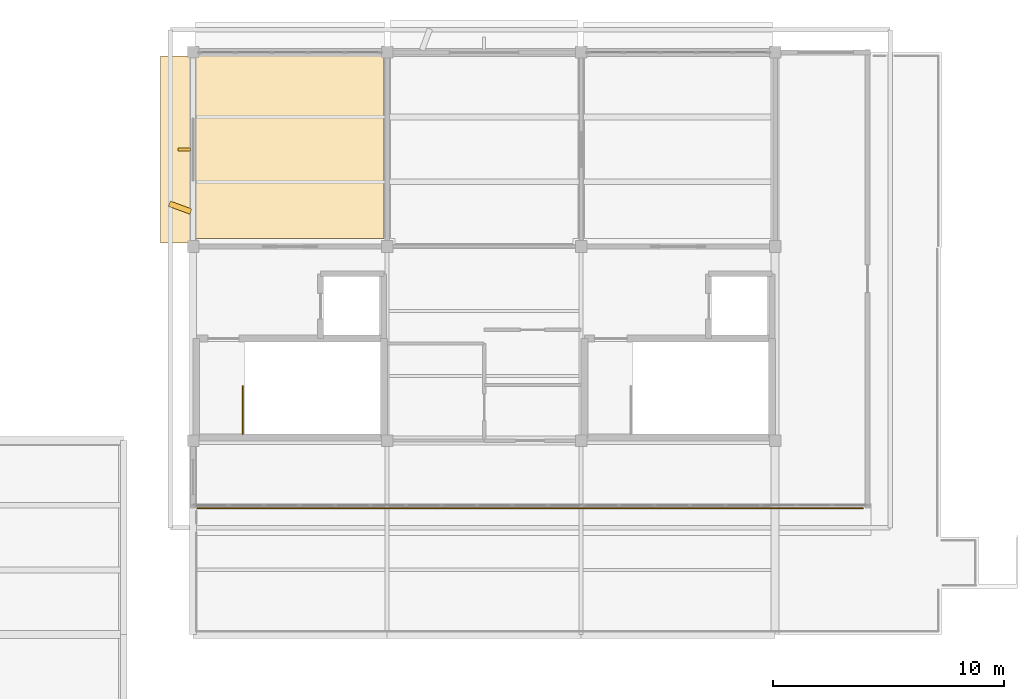
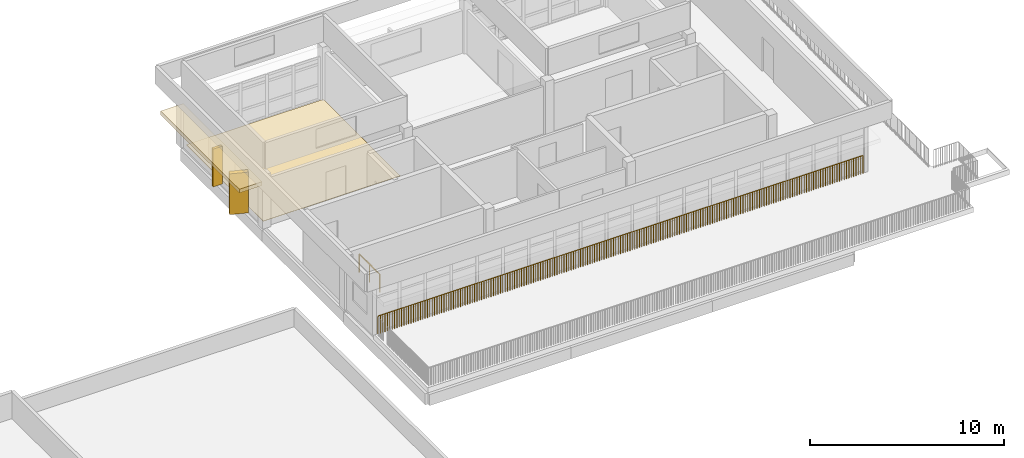
# One storey, part 12 of 14: 3 coverings, 2 railings, 1 shading device.
"""IFC4 building model written with IfcOpenShell, lengths in metres."""

from ifc_helpers import new_model, si_unit, direction, frame, origin, origin_2d, place, context, subcontext, project, spatial, polyline, rectangle, circle, outline, extrude, material, layer, layer_set, type_object, element, save


model = new_model("IFC4")

# Units and contexts
model_context = context("Model", 3, precision=1e-05, world=origin(), true_north=direction((0.0, 1.0)))
body_context = subcontext(model_context, "Body", "Model", "MODEL_VIEW")
ifc_project = project(units=[si_unit("LENGTHUNIT", "METRE"), si_unit("AREAUNIT", "SQUARE_METRE"), si_unit("VOLUMEUNIT", "CUBIC_METRE"), si_unit("PLANEANGLEUNIT", "RADIAN"), si_unit("MASSUNIT", "GRAM", prefix="KILO")], contexts=[model_context])

# Site, building, storey
site_placement = place(None, origin())
site = spatial("IfcSite", under=ifc_project, at=site_placement, CompositionType="ELEMENT")
building_placement = place(site_placement, origin())
building = spatial("IfcBuilding", under=site, at=building_placement, Name="Vanh Quang Courtyard School", CompositionType="ELEMENT")
storey_placement = place(building_placement, frame((0.0, 0.0, 22.199951171875)))
storey = spatial("IfcBuildingStorey", under=building, at=storey_placement, Name="L06", CompositionType="ELEMENT", Elevation=22.199951171875)

# Coverings
ifc_material_1 = material(Name="Polished cementitious terrazzo tile", Category="concrete")
ifc_layer_1 = layer(ifc_material_1, 0.02001953125)
ifc_layer_set_1 = layer_set([ifc_layer_1], Name="Polished cementitious terrazzo tile")
covering_type_1 = type_object("IfcCoveringType", Name="COV-FLR-TERRAZZO", PredefinedType="FLOORING", material=ifc_layer_set_1)
covering_1_placement = place(storey_placement, origin())
element("IfcCovering", 1, at=covering_1_placement, inside=storey, type_object=covering_type_1, Name="Covering CV-FL1 (L06)", PredefinedType="FLOORING", context=body_context, shape_type="SweptSolid", body=[
    extrude(outline(polyline([(85.659912109375, 96.469970703125), (85.660888671875, 96.469970703125), (85.662109375, 96.4697265625), (85.662841796875, 96.469482421875), (85.663818359375, 96.46923828125), (85.664794921875, 96.46875), (85.66552734375, 96.46826171875), (85.666259765625, 96.4677734375), (85.6669921875, 96.467041015625), (85.667724609375, 96.46630859375), (85.668212890625, 96.465576171875), (85.668701171875, 96.464599609375), (85.669189453125, 96.4638671875), (85.669677734375, 96.462890625), (85.669921875, 96.4619140625), (85.669921875, 96.4609375), (85.669921875, 96.4599609375), (85.669921875, 88.550048828125), (77.530029296875, 88.550048828125), (77.530029296875, 96.4599609375), (77.530029296875, 96.4609375), (77.5302734375, 96.4619140625), (77.530517578125, 96.462890625), (77.53076171875, 96.4638671875), (77.53125, 96.464599609375), (77.53173828125, 96.465576171875), (77.5322265625, 96.46630859375), (77.532958984375, 96.467041015625), (77.53369140625, 96.4677734375), (77.534423828125, 96.46826171875), (77.535400390625, 96.46875), (77.5361328125, 96.46923828125), (77.537109375, 96.469482421875), (77.5380859375, 96.4697265625), (77.5390625, 96.469970703125), (77.5400390625, 96.469970703125), (85.659912109375, 96.469970703125)])), origin(), (0.0, 0.0, 1.0), 0.02001953125),
])
ifc_material_2 = material(Name="Board-marked precast concrete C40/50", Category="concrete")
ifc_layer_2 = layer(ifc_material_2, 0.239990234375)
ifc_layer_set_2 = layer_set([ifc_layer_2], Name="Board-marked precast concrete C40/50")
covering_type_2 = type_object("IfcCoveringType", Name="COV-HOOD-CONC", PredefinedType="CLADDING", material=ifc_layer_set_2)
covering_2_placement = place(storey_placement, frame((76.669921875, 92.39990234375, 2.43994140625), z_axis=(0.0, 0.0, 1.0), x_axis=(0.0, 1.0, 0.0)))
element("IfcCovering", 2, at=covering_2_placement, inside=storey, type_object=covering_type_2, Name="Covering CH-01 (L06)", PredefinedType="CLADDING", context=body_context, shape_type="SweptSolid", body=[
    extrude(rectangle(XDim=8.10400390625, YDim=1.35009765625, at=origin_2d()), origin(), (0.0, 0.0, 1.0), 0.239990234375),
])
covering_3_placement = place(storey_placement, frame((76.840087890625, 89.882568359375, 0.0), z_axis=(0.0, 0.0, 1.0), x_axis=(-0.938009980858, 0.346608245445, 0.0)))
element("IfcCovering", 3, at=covering_3_placement, inside=storey, type_object=covering_type_2, Name="Covering CH-01 (L06)", PredefinedType="CLADDING", context=body_context, shape_type="SweptSolid", body=[
    extrude(rectangle(XDim=0.980712890625, YDim=0.239990234375, at=origin_2d()), origin(), (0.0, 0.0, 1.0), 2.56005859375),
])

# Railings
ifc_material_3 = material(Name="Galvanised painted steel EN 10025-2 S355J2", Category="steel")
railing_type = type_object("IfcRailingType", Name="RAIL-GUARD-1150", PredefinedType="BALUSTRADE", material=ifc_material_3)
railing_1_placement = place(storey_placement, frame((77.59912109375, 76.860107421875, 0.0)))
element("IfcRailing", 4, at=railing_1_placement, inside=storey, type_object=railing_type, Name="Railing GR-01 (L06)", PredefinedType="BALUSTRADE", context=body_context, shape_type="SweptSolid", body=[
    extrude(circle(Radius=0.02392578125, at=origin_2d()), frame((0.0, 0.0, 1.1259765625), z_axis=(1.0, 0.0, 0.0), x_axis=(0.0, 1.0, 0.0)), (0.0, 0.0, 1.0), 28.8017578125),
    extrude(circle(Radius=0.02099609375, at=origin_2d()), origin(), (0.0, 0.0, 1.0), 1.101806640625),
    extrude(circle(Radius=0.02099609375, at=origin_2d()), frame((0.139892578125, 0.0, 0.0)), (0.0, 0.0, 1.0), 1.101806640625),
    extrude(circle(Radius=0.02099609375, at=origin_2d()), frame((0.279541015625, 0.0, 0.0)), (0.0, 0.0, 1.0), 1.101806640625),
    extrude(circle(Radius=0.02099609375, at=origin_2d()), frame((0.41943359375, 0.0, 0.0)), (0.0, 0.0, 1.0), 1.101806640625),
    extrude(circle(Radius=0.02099609375, at=origin_2d()), frame((0.559326171875, 0.0, 0.0)), (0.0, 0.0, 1.0), 1.101806640625),
    extrude(circle(Radius=0.02099609375, at=origin_2d()), frame((0.698974609375, 0.0, 0.0)), (0.0, 0.0, 1.0), 1.101806640625),
    extrude(circle(Radius=0.02099609375, at=origin_2d()), frame((0.8388671875, 0.0, 0.0)), (0.0, 0.0, 1.0), 1.101806640625),
    extrude(circle(Radius=0.02099609375, at=origin_2d()), frame((0.978759765625, 0.0, 0.0)), (0.0, 0.0, 1.0), 1.101806640625),
    extrude(circle(Radius=0.02099609375, at=origin_2d()), frame((1.118408203125, 0.0, 0.0)), (0.0, 0.0, 1.0), 1.101806640625),
    extrude(circle(Radius=0.02099609375, at=origin_2d()), frame((1.25830078125, 0.0, 0.0)), (0.0, 0.0, 1.0), 1.101806640625),
    extrude(circle(Radius=0.02099609375, at=origin_2d()), frame((1.398193359375, 0.0, 0.0)), (0.0, 0.0, 1.0), 1.101806640625),
    extrude(circle(Radius=0.02099609375, at=origin_2d()), frame((1.537841796875, 0.0, 0.0)), (0.0, 0.0, 1.0), 1.101806640625),
    extrude(circle(Radius=0.02099609375, at=origin_2d()), frame((1.677734375, 0.0, 0.0)), (0.0, 0.0, 1.0), 1.101806640625),
    extrude(circle(Radius=0.02099609375, at=origin_2d()), frame((1.817626953125, 0.0, 0.0)), (0.0, 0.0, 1.0), 1.101806640625),
    extrude(circle(Radius=0.02099609375, at=origin_2d()), frame((1.95751953125, 0.0, 0.0)), (0.0, 0.0, 1.0), 1.101806640625),
    extrude(circle(Radius=0.02099609375, at=origin_2d()), frame((2.09716796875, 0.0, 0.0)), (0.0, 0.0, 1.0), 1.101806640625),
    extrude(circle(Radius=0.02099609375, at=origin_2d()), frame((2.237060546875, 0.0, 0.0)), (0.0, 0.0, 1.0), 1.101806640625),
    extrude(circle(Radius=0.02099609375, at=origin_2d()), frame((2.376953125, 0.0, 0.0)), (0.0, 0.0, 1.0), 1.101806640625),
    extrude(circle(Radius=0.02099609375, at=origin_2d()), frame((2.5166015625, 0.0, 0.0)), (0.0, 0.0, 1.0), 1.101806640625),
    extrude(circle(Radius=0.02099609375, at=origin_2d()), frame((2.656494140625, 0.0, 0.0)), (0.0, 0.0, 1.0), 1.101806640625),
    extrude(circle(Radius=0.02099609375, at=origin_2d()), frame((2.79638671875, 0.0, 0.0)), (0.0, 0.0, 1.0), 1.101806640625),
    extrude(circle(Radius=0.02099609375, at=origin_2d()), frame((2.93603515625, 0.0, 0.0)), (0.0, 0.0, 1.0), 1.101806640625),
    extrude(circle(Radius=0.02099609375, at=origin_2d()), frame((3.075927734375, 0.0, 0.0)), (0.0, 0.0, 1.0), 1.101806640625),
    extrude(circle(Radius=0.02099609375, at=origin_2d()), frame((3.2158203125, 0.0, 0.0)), (0.0, 0.0, 1.0), 1.101806640625),
    extrude(circle(Radius=0.02099609375, at=origin_2d()), frame((3.35546875, 0.0, 0.0)), (0.0, 0.0, 1.0), 1.101806640625),
    extrude(circle(Radius=0.02099609375, at=origin_2d()), frame((3.495361328125, 0.0, 0.0)), (0.0, 0.0, 1.0), 1.101806640625),
    extrude(circle(Radius=0.02099609375, at=origin_2d()), frame((3.63525390625, 0.0, 0.0)), (0.0, 0.0, 1.0), 1.101806640625),
    extrude(circle(Radius=0.02099609375, at=origin_2d()), frame((3.77490234375, 0.0, 0.0)), (0.0, 0.0, 1.0), 1.101806640625),
    extrude(circle(Radius=0.02099609375, at=origin_2d()), frame((3.914794921875, 0.0, 0.0)), (0.0, 0.0, 1.0), 1.101806640625),
    extrude(circle(Radius=0.02099609375, at=origin_2d()), frame((4.0546875, 0.0, 0.0)), (0.0, 0.0, 1.0), 1.101806640625),
    extrude(circle(Radius=0.02099609375, at=origin_2d()), frame((4.1943359375, 0.0, 0.0)), (0.0, 0.0, 1.0), 1.101806640625),
    extrude(circle(Radius=0.02099609375, at=origin_2d()), frame((4.334228515625, 0.0, 0.0)), (0.0, 0.0, 1.0), 1.101806640625),
    extrude(circle(Radius=0.02099609375, at=origin_2d()), frame((4.47412109375, 0.0, 0.0)), (0.0, 0.0, 1.0), 1.101806640625),
    extrude(circle(Radius=0.02099609375, at=origin_2d()), frame((4.61376953125, 0.0, 0.0)), (0.0, 0.0, 1.0), 1.101806640625),
    extrude(circle(Radius=0.02099609375, at=origin_2d()), frame((4.753662109375, 0.0, 0.0)), (0.0, 0.0, 1.0), 1.101806640625),
    extrude(circle(Radius=0.02099609375, at=origin_2d()), frame((4.8935546875, 0.0, 0.0)), (0.0, 0.0, 1.0), 1.101806640625),
    extrude(circle(Radius=0.02099609375, at=origin_2d()), frame((5.033203125, 0.0, 0.0)), (0.0, 0.0, 1.0), 1.101806640625),
    extrude(circle(Radius=0.02099609375, at=origin_2d()), frame((5.173095703125, 0.0, 0.0)), (0.0, 0.0, 1.0), 1.101806640625),
    extrude(circle(Radius=0.02099609375, at=origin_2d()), frame((5.31298828125, 0.0, 0.0)), (0.0, 0.0, 1.0), 1.101806640625),
    extrude(circle(Radius=0.02099609375, at=origin_2d()), frame((5.452880859375, 0.0, 0.0)), (0.0, 0.0, 1.0), 1.101806640625),
    extrude(circle(Radius=0.02099609375, at=origin_2d()), frame((5.592529296875, 0.0, 0.0)), (0.0, 0.0, 1.0), 1.101806640625),
    extrude(circle(Radius=0.02099609375, at=origin_2d()), frame((5.732421875, 0.0, 0.0)), (0.0, 0.0, 1.0), 1.101806640625),
    extrude(circle(Radius=0.02099609375, at=origin_2d()), frame((5.872314453125, 0.0, 0.0)), (0.0, 0.0, 1.0), 1.101806640625),
    extrude(circle(Radius=0.02099609375, at=origin_2d()), frame((6.011962890625, 0.0, 0.0)), (0.0, 0.0, 1.0), 1.101806640625),
    extrude(circle(Radius=0.02099609375, at=origin_2d()), frame((6.15185546875, 0.0, 0.0)), (0.0, 0.0, 1.0), 1.101806640625),
    extrude(circle(Radius=0.02099609375, at=origin_2d()), frame((6.291748046875, 0.0, 0.0)), (0.0, 0.0, 1.0), 1.101806640625),
    extrude(circle(Radius=0.02099609375, at=origin_2d()), frame((6.431396484375, 0.0, 0.0)), (0.0, 0.0, 1.0), 1.101806640625),
    extrude(circle(Radius=0.02099609375, at=origin_2d()), frame((6.5712890625, 0.0, 0.0)), (0.0, 0.0, 1.0), 1.101806640625),
    extrude(circle(Radius=0.02099609375, at=origin_2d()), frame((6.711181640625, 0.0, 0.0)), (0.0, 0.0, 1.0), 1.101806640625),
    extrude(circle(Radius=0.02099609375, at=origin_2d()), frame((6.850830078125, 0.0, 0.0)), (0.0, 0.0, 1.0), 1.101806640625),
    extrude(circle(Radius=0.02099609375, at=origin_2d()), frame((6.99072265625, 0.0, 0.0)), (0.0, 0.0, 1.0), 1.101806640625),
    extrude(circle(Radius=0.02099609375, at=origin_2d()), frame((7.130615234375, 0.0, 0.0)), (0.0, 0.0, 1.0), 1.101806640625),
    extrude(circle(Radius=0.02099609375, at=origin_2d()), frame((7.270263671875, 0.0, 0.0)), (0.0, 0.0, 1.0), 1.101806640625),
    extrude(circle(Radius=0.02099609375, at=origin_2d()), frame((7.41015625, 0.0, 0.0)), (0.0, 0.0, 1.0), 1.101806640625),
    extrude(circle(Radius=0.02099609375, at=origin_2d()), frame((7.550048828125, 0.0, 0.0)), (0.0, 0.0, 1.0), 1.101806640625),
    extrude(circle(Radius=0.02099609375, at=origin_2d()), frame((7.689697265625, 0.0, 0.0)), (0.0, 0.0, 1.0), 1.101806640625),
    extrude(circle(Radius=0.02099609375, at=origin_2d()), frame((7.82958984375, 0.0, 0.0)), (0.0, 0.0, 1.0), 1.101806640625),
    extrude(circle(Radius=0.02099609375, at=origin_2d()), frame((7.969482421875, 0.0, 0.0)), (0.0, 0.0, 1.0), 1.101806640625),
    extrude(circle(Radius=0.02099609375, at=origin_2d()), frame((8.109130859375, 0.0, 0.0)), (0.0, 0.0, 1.0), 1.101806640625),
    extrude(circle(Radius=0.02099609375, at=origin_2d()), frame((8.2490234375, 0.0, 0.0)), (0.0, 0.0, 1.0), 1.101806640625),
    extrude(circle(Radius=0.02099609375, at=origin_2d()), frame((8.388916015625, 0.0, 0.0)), (0.0, 0.0, 1.0), 1.101806640625),
    extrude(circle(Radius=0.02099609375, at=origin_2d()), frame((8.528564453125, 0.0, 0.0)), (0.0, 0.0, 1.0), 1.101806640625),
    extrude(circle(Radius=0.02099609375, at=origin_2d()), frame((8.66845703125, 0.0, 0.0)), (0.0, 0.0, 1.0), 1.101806640625),
    extrude(circle(Radius=0.02099609375, at=origin_2d()), frame((8.808349609375, 0.0, 0.0)), (0.0, 0.0, 1.0), 1.101806640625),
    extrude(circle(Radius=0.02099609375, at=origin_2d()), frame((8.947998046875, 0.0, 0.0)), (0.0, 0.0, 1.0), 1.101806640625),
    extrude(circle(Radius=0.02099609375, at=origin_2d()), frame((9.087890625, 0.0, 0.0)), (0.0, 0.0, 1.0), 1.101806640625),
    extrude(circle(Radius=0.02099609375, at=origin_2d()), frame((9.227783203125, 0.0, 0.0)), (0.0, 0.0, 1.0), 1.101806640625),
    extrude(circle(Radius=0.02099609375, at=origin_2d()), frame((9.36767578125, 0.0, 0.0)), (0.0, 0.0, 1.0), 1.101806640625),
    extrude(circle(Radius=0.02099609375, at=origin_2d()), frame((9.50732421875, 0.0, 0.0)), (0.0, 0.0, 1.0), 1.101806640625),
    extrude(circle(Radius=0.02099609375, at=origin_2d()), frame((9.647216796875, 0.0, 0.0)), (0.0, 0.0, 1.0), 1.101806640625),
    extrude(circle(Radius=0.02099609375, at=origin_2d()), frame((9.787109375, 0.0, 0.0)), (0.0, 0.0, 1.0), 1.101806640625),
    extrude(circle(Radius=0.02099609375, at=origin_2d()), frame((9.9267578125, 0.0, 0.0)), (0.0, 0.0, 1.0), 1.101806640625),
    extrude(circle(Radius=0.02099609375, at=origin_2d()), frame((10.066650390625, 0.0, 0.0)), (0.0, 0.0, 1.0), 1.101806640625),
    extrude(circle(Radius=0.02099609375, at=origin_2d()), frame((10.20654296875, 0.0, 0.0)), (0.0, 0.0, 1.0), 1.101806640625),
    extrude(circle(Radius=0.02099609375, at=origin_2d()), frame((10.34619140625, 0.0, 0.0)), (0.0, 0.0, 1.0), 1.101806640625),
    extrude(circle(Radius=0.02099609375, at=origin_2d()), frame((10.486083984375, 0.0, 0.0)), (0.0, 0.0, 1.0), 1.101806640625),
    extrude(circle(Radius=0.02099609375, at=origin_2d()), frame((10.6259765625, 0.0, 0.0)), (0.0, 0.0, 1.0), 1.101806640625),
    extrude(circle(Radius=0.02099609375, at=origin_2d()), frame((10.765625, 0.0, 0.0)), (0.0, 0.0, 1.0), 1.101806640625),
    extrude(circle(Radius=0.02099609375, at=origin_2d()), frame((10.905517578125, 0.0, 0.0)), (0.0, 0.0, 1.0), 1.101806640625),
    extrude(circle(Radius=0.02099609375, at=origin_2d()), frame((11.04541015625, 0.0, 0.0)), (0.0, 0.0, 1.0), 1.101806640625),
    extrude(circle(Radius=0.02099609375, at=origin_2d()), frame((11.18505859375, 0.0, 0.0)), (0.0, 0.0, 1.0), 1.101806640625),
    extrude(circle(Radius=0.02099609375, at=origin_2d()), frame((11.324951171875, 0.0, 0.0)), (0.0, 0.0, 1.0), 1.101806640625),
    extrude(circle(Radius=0.02099609375, at=origin_2d()), frame((11.46484375, 0.0, 0.0)), (0.0, 0.0, 1.0), 1.101806640625),
    extrude(circle(Radius=0.02099609375, at=origin_2d()), frame((11.6044921875, 0.0, 0.0)), (0.0, 0.0, 1.0), 1.101806640625),
    extrude(circle(Radius=0.02099609375, at=origin_2d()), frame((11.744384765625, 0.0, 0.0)), (0.0, 0.0, 1.0), 1.101806640625),
    extrude(circle(Radius=0.02099609375, at=origin_2d()), frame((11.88427734375, 0.0, 0.0)), (0.0, 0.0, 1.0), 1.101806640625),
    extrude(circle(Radius=0.02099609375, at=origin_2d()), frame((12.02392578125, 0.0, 0.0)), (0.0, 0.0, 1.0), 1.101806640625),
    extrude(circle(Radius=0.02099609375, at=origin_2d()), frame((12.163818359375, 0.0, 0.0)), (0.0, 0.0, 1.0), 1.101806640625),
    extrude(circle(Radius=0.02099609375, at=origin_2d()), frame((12.3037109375, 0.0, 0.0)), (0.0, 0.0, 1.0), 1.101806640625),
    extrude(circle(Radius=0.02099609375, at=origin_2d()), frame((12.443359375, 0.0, 0.0)), (0.0, 0.0, 1.0), 1.101806640625),
    extrude(circle(Radius=0.02099609375, at=origin_2d()), frame((12.583251953125, 0.0, 0.0)), (0.0, 0.0, 1.0), 1.101806640625),
    extrude(circle(Radius=0.02099609375, at=origin_2d()), frame((12.72314453125, 0.0, 0.0)), (0.0, 0.0, 1.0), 1.101806640625),
    extrude(circle(Radius=0.02099609375, at=origin_2d()), frame((12.863037109375, 0.0, 0.0)), (0.0, 0.0, 1.0), 1.101806640625),
    extrude(circle(Radius=0.02099609375, at=origin_2d()), frame((13.002685546875, 0.0, 0.0)), (0.0, 0.0, 1.0), 1.101806640625),
    extrude(circle(Radius=0.02099609375, at=origin_2d()), frame((13.142578125, 0.0, 0.0)), (0.0, 0.0, 1.0), 1.101806640625),
    extrude(circle(Radius=0.02099609375, at=origin_2d()), frame((13.282470703125, 0.0, 0.0)), (0.0, 0.0, 1.0), 1.101806640625),
    extrude(circle(Radius=0.02099609375, at=origin_2d()), frame((13.422119140625, 0.0, 0.0)), (0.0, 0.0, 1.0), 1.101806640625),
    extrude(circle(Radius=0.02099609375, at=origin_2d()), frame((13.56201171875, 0.0, 0.0)), (0.0, 0.0, 1.0), 1.101806640625),
    extrude(circle(Radius=0.02099609375, at=origin_2d()), frame((13.701904296875, 0.0, 0.0)), (0.0, 0.0, 1.0), 1.101806640625),
    extrude(circle(Radius=0.02099609375, at=origin_2d()), frame((13.841552734375, 0.0, 0.0)), (0.0, 0.0, 1.0), 1.101806640625),
    extrude(circle(Radius=0.02099609375, at=origin_2d()), frame((13.9814453125, 0.0, 0.0)), (0.0, 0.0, 1.0), 1.101806640625),
    extrude(circle(Radius=0.02099609375, at=origin_2d()), frame((14.121337890625, 0.0, 0.0)), (0.0, 0.0, 1.0), 1.101806640625),
    extrude(circle(Radius=0.02099609375, at=origin_2d()), frame((14.260986328125, 0.0, 0.0)), (0.0, 0.0, 1.0), 1.101806640625),
    extrude(circle(Radius=0.02099609375, at=origin_2d()), frame((14.40087890625, 0.0, 0.0)), (0.0, 0.0, 1.0), 1.101806640625),
    extrude(circle(Radius=0.02099609375, at=origin_2d()), frame((14.540771484375, 0.0, 0.0)), (0.0, 0.0, 1.0), 1.101806640625),
    extrude(circle(Radius=0.02099609375, at=origin_2d()), frame((14.680419921875, 0.0, 0.0)), (0.0, 0.0, 1.0), 1.101806640625),
    extrude(circle(Radius=0.02099609375, at=origin_2d()), frame((14.8203125, 0.0, 0.0)), (0.0, 0.0, 1.0), 1.101806640625),
    extrude(circle(Radius=0.02099609375, at=origin_2d()), frame((14.960205078125, 0.0, 0.0)), (0.0, 0.0, 1.0), 1.101806640625),
    extrude(circle(Radius=0.02099609375, at=origin_2d()), frame((15.099853515625, 0.0, 0.0)), (0.0, 0.0, 1.0), 1.101806640625),
    extrude(circle(Radius=0.02099609375, at=origin_2d()), frame((15.23974609375, 0.0, 0.0)), (0.0, 0.0, 1.0), 1.101806640625),
    extrude(circle(Radius=0.02099609375, at=origin_2d()), frame((15.379638671875, 0.0, 0.0)), (0.0, 0.0, 1.0), 1.101806640625),
    extrude(circle(Radius=0.02099609375, at=origin_2d()), frame((15.519287109375, 0.0, 0.0)), (0.0, 0.0, 1.0), 1.101806640625),
    extrude(circle(Radius=0.02099609375, at=origin_2d()), frame((15.6591796875, 0.0, 0.0)), (0.0, 0.0, 1.0), 1.101806640625),
    extrude(circle(Radius=0.02099609375, at=origin_2d()), frame((15.799072265625, 0.0, 0.0)), (0.0, 0.0, 1.0), 1.101806640625),
    extrude(circle(Radius=0.02099609375, at=origin_2d()), frame((15.938720703125, 0.0, 0.0)), (0.0, 0.0, 1.0), 1.101806640625),
    extrude(circle(Radius=0.02099609375, at=origin_2d()), frame((16.07861328125, 0.0, 0.0)), (0.0, 0.0, 1.0), 1.101806640625),
    extrude(circle(Radius=0.02099609375, at=origin_2d()), frame((16.218505859375, 0.0, 0.0)), (0.0, 0.0, 1.0), 1.101806640625),
    extrude(circle(Radius=0.02099609375, at=origin_2d()), frame((16.3583984375, 0.0, 0.0)), (0.0, 0.0, 1.0), 1.101806640625),
    extrude(circle(Radius=0.02099609375, at=origin_2d()), frame((16.498046875, 0.0, 0.0)), (0.0, 0.0, 1.0), 1.101806640625),
    extrude(circle(Radius=0.02099609375, at=origin_2d()), frame((16.637939453125, 0.0, 0.0)), (0.0, 0.0, 1.0), 1.101806640625),
    extrude(circle(Radius=0.02099609375, at=origin_2d()), frame((16.77783203125, 0.0, 0.0)), (0.0, 0.0, 1.0), 1.101806640625),
    extrude(circle(Radius=0.02099609375, at=origin_2d()), frame((16.91748046875, 0.0, 0.0)), (0.0, 0.0, 1.0), 1.101806640625),
    extrude(circle(Radius=0.02099609375, at=origin_2d()), frame((17.057373046875, 0.0, 0.0)), (0.0, 0.0, 1.0), 1.101806640625),
    extrude(circle(Radius=0.02099609375, at=origin_2d()), frame((17.197265625, 0.0, 0.0)), (0.0, 0.0, 1.0), 1.101806640625),
    extrude(circle(Radius=0.02099609375, at=origin_2d()), frame((17.3369140625, 0.0, 0.0)), (0.0, 0.0, 1.0), 1.101806640625),
    extrude(circle(Radius=0.02099609375, at=origin_2d()), frame((17.476806640625, 0.0, 0.0)), (0.0, 0.0, 1.0), 1.101806640625),
    extrude(circle(Radius=0.02099609375, at=origin_2d()), frame((17.61669921875, 0.0, 0.0)), (0.0, 0.0, 1.0), 1.101806640625),
    extrude(circle(Radius=0.02099609375, at=origin_2d()), frame((17.75634765625, 0.0, 0.0)), (0.0, 0.0, 1.0), 1.101806640625),
    extrude(circle(Radius=0.02099609375, at=origin_2d()), frame((17.896240234375, 0.0, 0.0)), (0.0, 0.0, 1.0), 1.101806640625),
    extrude(circle(Radius=0.02099609375, at=origin_2d()), frame((18.0361328125, 0.0, 0.0)), (0.0, 0.0, 1.0), 1.101806640625),
    extrude(circle(Radius=0.02099609375, at=origin_2d()), frame((18.17578125, 0.0, 0.0)), (0.0, 0.0, 1.0), 1.101806640625),
    extrude(circle(Radius=0.02099609375, at=origin_2d()), frame((18.315673828125, 0.0, 0.0)), (0.0, 0.0, 1.0), 1.101806640625),
    extrude(circle(Radius=0.02099609375, at=origin_2d()), frame((18.45556640625, 0.0, 0.0)), (0.0, 0.0, 1.0), 1.101806640625),
    extrude(circle(Radius=0.02099609375, at=origin_2d()), frame((18.59521484375, 0.0, 0.0)), (0.0, 0.0, 1.0), 1.101806640625),
    extrude(circle(Radius=0.02099609375, at=origin_2d()), frame((18.735107421875, 0.0, 0.0)), (0.0, 0.0, 1.0), 1.101806640625),
    extrude(circle(Radius=0.02099609375, at=origin_2d()), frame((18.875, 0.0, 0.0)), (0.0, 0.0, 1.0), 1.101806640625),
    extrude(circle(Radius=0.02099609375, at=origin_2d()), frame((19.0146484375, 0.0, 0.0)), (0.0, 0.0, 1.0), 1.101806640625),
    extrude(circle(Radius=0.02099609375, at=origin_2d()), frame((19.154541015625, 0.0, 0.0)), (0.0, 0.0, 1.0), 1.101806640625),
    extrude(circle(Radius=0.02099609375, at=origin_2d()), frame((19.29443359375, 0.0, 0.0)), (0.0, 0.0, 1.0), 1.101806640625),
    extrude(circle(Radius=0.02099609375, at=origin_2d()), frame((19.43408203125, 0.0, 0.0)), (0.0, 0.0, 1.0), 1.101806640625),
    extrude(circle(Radius=0.02099609375, at=origin_2d()), frame((19.573974609375, 0.0, 0.0)), (0.0, 0.0, 1.0), 1.101806640625),
    extrude(circle(Radius=0.02099609375, at=origin_2d()), frame((19.7138671875, 0.0, 0.0)), (0.0, 0.0, 1.0), 1.101806640625),
    extrude(circle(Radius=0.02099609375, at=origin_2d()), frame((19.853759765625, 0.0, 0.0)), (0.0, 0.0, 1.0), 1.101806640625),
    extrude(circle(Radius=0.02099609375, at=origin_2d()), frame((19.993408203125, 0.0, 0.0)), (0.0, 0.0, 1.0), 1.101806640625),
    extrude(circle(Radius=0.02099609375, at=origin_2d()), frame((20.13330078125, 0.0, 0.0)), (0.0, 0.0, 1.0), 1.101806640625),
    extrude(circle(Radius=0.02099609375, at=origin_2d()), frame((20.273193359375, 0.0, 0.0)), (0.0, 0.0, 1.0), 1.101806640625),
    extrude(circle(Radius=0.02099609375, at=origin_2d()), frame((20.412841796875, 0.0, 0.0)), (0.0, 0.0, 1.0), 1.101806640625),
    extrude(circle(Radius=0.02099609375, at=origin_2d()), frame((20.552734375, 0.0, 0.0)), (0.0, 0.0, 1.0), 1.101806640625),
    extrude(circle(Radius=0.02099609375, at=origin_2d()), frame((20.692626953125, 0.0, 0.0)), (0.0, 0.0, 1.0), 1.101806640625),
    extrude(circle(Radius=0.02099609375, at=origin_2d()), frame((20.832275390625, 0.0, 0.0)), (0.0, 0.0, 1.0), 1.101806640625),
    extrude(circle(Radius=0.02099609375, at=origin_2d()), frame((20.97216796875, 0.0, 0.0)), (0.0, 0.0, 1.0), 1.101806640625),
    extrude(circle(Radius=0.02099609375, at=origin_2d()), frame((21.112060546875, 0.0, 0.0)), (0.0, 0.0, 1.0), 1.101806640625),
    extrude(circle(Radius=0.02099609375, at=origin_2d()), frame((21.251708984375, 0.0, 0.0)), (0.0, 0.0, 1.0), 1.101806640625),
    extrude(circle(Radius=0.02099609375, at=origin_2d()), frame((21.3916015625, 0.0, 0.0)), (0.0, 0.0, 1.0), 1.101806640625),
    extrude(circle(Radius=0.02099609375, at=origin_2d()), frame((21.531494140625, 0.0, 0.0)), (0.0, 0.0, 1.0), 1.101806640625),
    extrude(circle(Radius=0.02099609375, at=origin_2d()), frame((21.671142578125, 0.0, 0.0)), (0.0, 0.0, 1.0), 1.101806640625),
    extrude(circle(Radius=0.02099609375, at=origin_2d()), frame((21.81103515625, 0.0, 0.0)), (0.0, 0.0, 1.0), 1.101806640625),
    extrude(circle(Radius=0.02099609375, at=origin_2d()), frame((21.950927734375, 0.0, 0.0)), (0.0, 0.0, 1.0), 1.101806640625),
    extrude(circle(Radius=0.02099609375, at=origin_2d()), frame((22.090576171875, 0.0, 0.0)), (0.0, 0.0, 1.0), 1.101806640625),
    extrude(circle(Radius=0.02099609375, at=origin_2d()), frame((22.23046875, 0.0, 0.0)), (0.0, 0.0, 1.0), 1.101806640625),
    extrude(circle(Radius=0.02099609375, at=origin_2d()), frame((22.370361328125, 0.0, 0.0)), (0.0, 0.0, 1.0), 1.101806640625),
    extrude(circle(Radius=0.02099609375, at=origin_2d()), frame((22.510009765625, 0.0, 0.0)), (0.0, 0.0, 1.0), 1.101806640625),
    extrude(circle(Radius=0.02099609375, at=origin_2d()), frame((22.64990234375, 0.0, 0.0)), (0.0, 0.0, 1.0), 1.101806640625),
    extrude(circle(Radius=0.02099609375, at=origin_2d()), frame((22.789794921875, 0.0, 0.0)), (0.0, 0.0, 1.0), 1.101806640625),
    extrude(circle(Radius=0.02099609375, at=origin_2d()), frame((22.929443359375, 0.0, 0.0)), (0.0, 0.0, 1.0), 1.101806640625),
    extrude(circle(Radius=0.02099609375, at=origin_2d()), frame((23.0693359375, 0.0, 0.0)), (0.0, 0.0, 1.0), 1.101806640625),
    extrude(circle(Radius=0.02099609375, at=origin_2d()), frame((23.209228515625, 0.0, 0.0)), (0.0, 0.0, 1.0), 1.101806640625),
    extrude(circle(Radius=0.02099609375, at=origin_2d()), frame((23.348876953125, 0.0, 0.0)), (0.0, 0.0, 1.0), 1.101806640625),
    extrude(circle(Radius=0.02099609375, at=origin_2d()), frame((23.48876953125, 0.0, 0.0)), (0.0, 0.0, 1.0), 1.101806640625),
    extrude(circle(Radius=0.02099609375, at=origin_2d()), frame((23.628662109375, 0.0, 0.0)), (0.0, 0.0, 1.0), 1.101806640625),
    extrude(circle(Radius=0.02099609375, at=origin_2d()), frame((23.7685546875, 0.0, 0.0)), (0.0, 0.0, 1.0), 1.101806640625),
    extrude(circle(Radius=0.02099609375, at=origin_2d()), frame((23.908203125, 0.0, 0.0)), (0.0, 0.0, 1.0), 1.101806640625),
    extrude(circle(Radius=0.02099609375, at=origin_2d()), frame((24.048095703125, 0.0, 0.0)), (0.0, 0.0, 1.0), 1.101806640625),
    extrude(circle(Radius=0.02099609375, at=origin_2d()), frame((24.18798828125, 0.0, 0.0)), (0.0, 0.0, 1.0), 1.101806640625),
    extrude(circle(Radius=0.02099609375, at=origin_2d()), frame((24.32763671875, 0.0, 0.0)), (0.0, 0.0, 1.0), 1.101806640625),
    extrude(circle(Radius=0.02099609375, at=origin_2d()), frame((24.467529296875, 0.0, 0.0)), (0.0, 0.0, 1.0), 1.101806640625),
    extrude(circle(Radius=0.02099609375, at=origin_2d()), frame((24.607421875, 0.0, 0.0)), (0.0, 0.0, 1.0), 1.101806640625),
    extrude(circle(Radius=0.02099609375, at=origin_2d()), frame((24.7470703125, 0.0, 0.0)), (0.0, 0.0, 1.0), 1.101806640625),
    extrude(circle(Radius=0.02099609375, at=origin_2d()), frame((24.886962890625, 0.0, 0.0)), (0.0, 0.0, 1.0), 1.101806640625),
    extrude(circle(Radius=0.02099609375, at=origin_2d()), frame((25.02685546875, 0.0, 0.0)), (0.0, 0.0, 1.0), 1.101806640625),
    extrude(circle(Radius=0.02099609375, at=origin_2d()), frame((25.16650390625, 0.0, 0.0)), (0.0, 0.0, 1.0), 1.101806640625),
    extrude(circle(Radius=0.02099609375, at=origin_2d()), frame((25.306396484375, 0.0, 0.0)), (0.0, 0.0, 1.0), 1.101806640625),
    extrude(circle(Radius=0.02099609375, at=origin_2d()), frame((25.4462890625, 0.0, 0.0)), (0.0, 0.0, 1.0), 1.101806640625),
    extrude(circle(Radius=0.02099609375, at=origin_2d()), frame((25.5859375, 0.0, 0.0)), (0.0, 0.0, 1.0), 1.101806640625),
    extrude(circle(Radius=0.02099609375, at=origin_2d()), frame((25.725830078125, 0.0, 0.0)), (0.0, 0.0, 1.0), 1.101806640625),
    extrude(circle(Radius=0.02099609375, at=origin_2d()), frame((25.86572265625, 0.0, 0.0)), (0.0, 0.0, 1.0), 1.101806640625),
    extrude(circle(Radius=0.02099609375, at=origin_2d()), frame((26.00537109375, 0.0, 0.0)), (0.0, 0.0, 1.0), 1.101806640625),
    extrude(circle(Radius=0.02099609375, at=origin_2d()), frame((26.145263671875, 0.0, 0.0)), (0.0, 0.0, 1.0), 1.101806640625),
    extrude(circle(Radius=0.02099609375, at=origin_2d()), frame((26.28515625, 0.0, 0.0)), (0.0, 0.0, 1.0), 1.101806640625),
    extrude(circle(Radius=0.02099609375, at=origin_2d()), frame((26.4248046875, 0.0, 0.0)), (0.0, 0.0, 1.0), 1.101806640625),
    extrude(circle(Radius=0.02099609375, at=origin_2d()), frame((26.564697265625, 0.0, 0.0)), (0.0, 0.0, 1.0), 1.101806640625),
    extrude(circle(Radius=0.02099609375, at=origin_2d()), frame((26.70458984375, 0.0, 0.0)), (0.0, 0.0, 1.0), 1.101806640625),
    extrude(circle(Radius=0.02099609375, at=origin_2d()), frame((26.84423828125, 0.0, 0.0)), (0.0, 0.0, 1.0), 1.101806640625),
    extrude(circle(Radius=0.02099609375, at=origin_2d()), frame((26.984130859375, 0.0, 0.0)), (0.0, 0.0, 1.0), 1.101806640625),
    extrude(circle(Radius=0.02099609375, at=origin_2d()), frame((27.1240234375, 0.0, 0.0)), (0.0, 0.0, 1.0), 1.101806640625),
    extrude(circle(Radius=0.02099609375, at=origin_2d()), frame((27.263916015625, 0.0, 0.0)), (0.0, 0.0, 1.0), 1.101806640625),
    extrude(circle(Radius=0.02099609375, at=origin_2d()), frame((27.403564453125, 0.0, 0.0)), (0.0, 0.0, 1.0), 1.101806640625),
    extrude(circle(Radius=0.02099609375, at=origin_2d()), frame((27.54345703125, 0.0, 0.0)), (0.0, 0.0, 1.0), 1.101806640625),
    extrude(circle(Radius=0.02099609375, at=origin_2d()), frame((27.683349609375, 0.0, 0.0)), (0.0, 0.0, 1.0), 1.101806640625),
    extrude(circle(Radius=0.02099609375, at=origin_2d()), frame((27.822998046875, 0.0, 0.0)), (0.0, 0.0, 1.0), 1.101806640625),
    extrude(circle(Radius=0.02099609375, at=origin_2d()), frame((27.962890625, 0.0, 0.0)), (0.0, 0.0, 1.0), 1.101806640625),
    extrude(circle(Radius=0.02099609375, at=origin_2d()), frame((28.102783203125, 0.0, 0.0)), (0.0, 0.0, 1.0), 1.101806640625),
    extrude(circle(Radius=0.02099609375, at=origin_2d()), frame((28.242431640625, 0.0, 0.0)), (0.0, 0.0, 1.0), 1.101806640625),
    extrude(circle(Radius=0.02099609375, at=origin_2d()), frame((28.38232421875, 0.0, 0.0)), (0.0, 0.0, 1.0), 1.101806640625),
    extrude(circle(Radius=0.02099609375, at=origin_2d()), frame((28.522216796875, 0.0, 0.0)), (0.0, 0.0, 1.0), 1.101806640625),
    extrude(circle(Radius=0.02099609375, at=origin_2d()), frame((28.661865234375, 0.0, 0.0)), (0.0, 0.0, 1.0), 1.101806640625),
    extrude(circle(Radius=0.02099609375, at=origin_2d()), frame((28.8017578125, 0.0, 0.0)), (0.0, 0.0, 1.0), 1.101806640625),
])
railing_2_placement = place(storey_placement, frame((79.550048828125, 80.080078125, 0.0)))
element("IfcRailing", 5, at=railing_2_placement, inside=storey, type_object=railing_type, Name="L06 ST-01 top well guard 1", PredefinedType="BALUSTRADE", context=body_context, shape_type="SweptSolid", body=[
    extrude(circle(Radius=0.02392578125, at=origin_2d()), frame((0.0, 0.0, 1.1259765625), z_axis=(0.0, 1.0, 0.0), x_axis=(-1.0, 0.0, 0.0)), (0.0, 0.0, 1.0), 2.079833984375),
    extrude(circle(Radius=0.02099609375, at=origin_2d()), origin(), (0.0, 0.0, 1.0), 1.101806640625),
    extrude(circle(Radius=0.02099609375, at=origin_2d()), frame((0.0, 1.0400390625, 0.0)), (0.0, 0.0, 1.0), 1.101806640625),
    extrude(circle(Radius=0.02099609375, at=origin_2d()), frame((0.0, 2.079833984375, 0.0)), (0.0, 0.0, 1.0), 1.101806640625),
])

# Shading device
shading_device_type = type_object("IfcShadingDeviceType", Name="SHD-FIN-CONCRETE", PredefinedType="USERDEFINED", material=ifc_material_2)
shading_device_placement = place(storey_placement, frame((77.014892578125, 92.39990234375, 0.150146484375), z_axis=(0.0, 0.0, 1.0), x_axis=(0.0, 1.0, 0.0)))
element("IfcShadingDevice", 6, at=shading_device_placement, inside=storey, type_object=shading_device_type, Name="Solar Shading SH-02 (L06)", ObjectType="Solar Shading SH-02 (L06)", PredefinedType="USERDEFINED", context=body_context, shape_type="SweptSolid", body=[
    extrude(rectangle(XDim=0.139892578125, YDim=0.550048828125, at=origin_2d()), origin(), (0.0, 0.0, 1.0), 2.3798828125),
])

save(model, "model.ifc")
